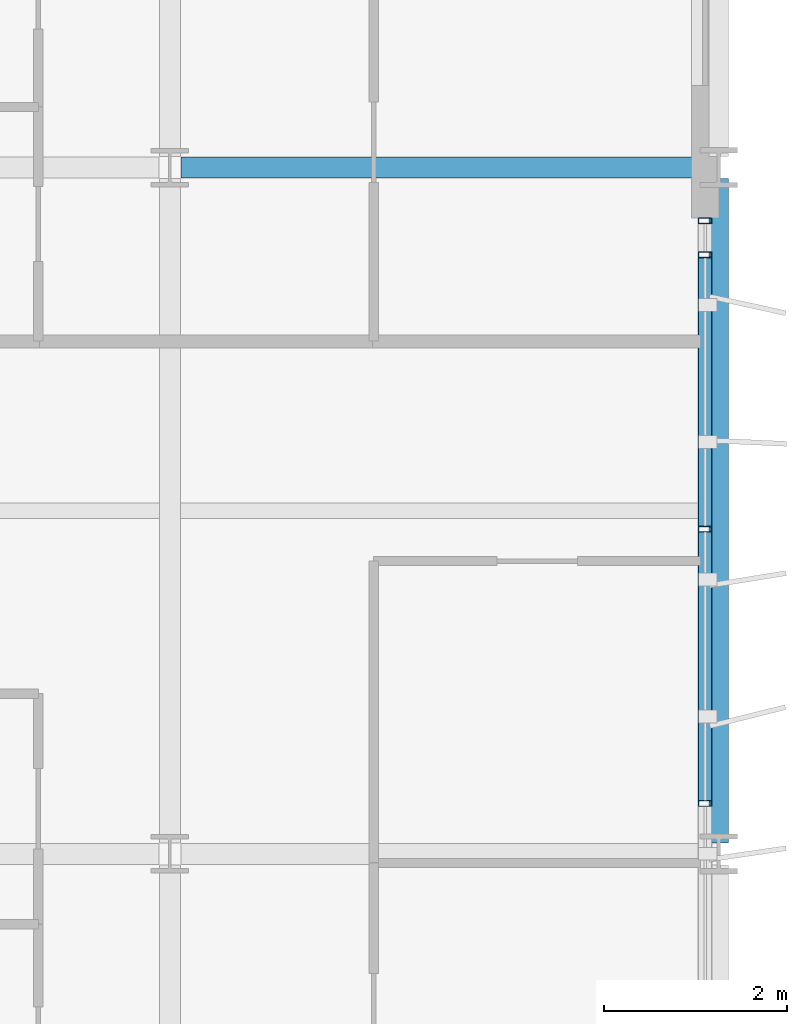
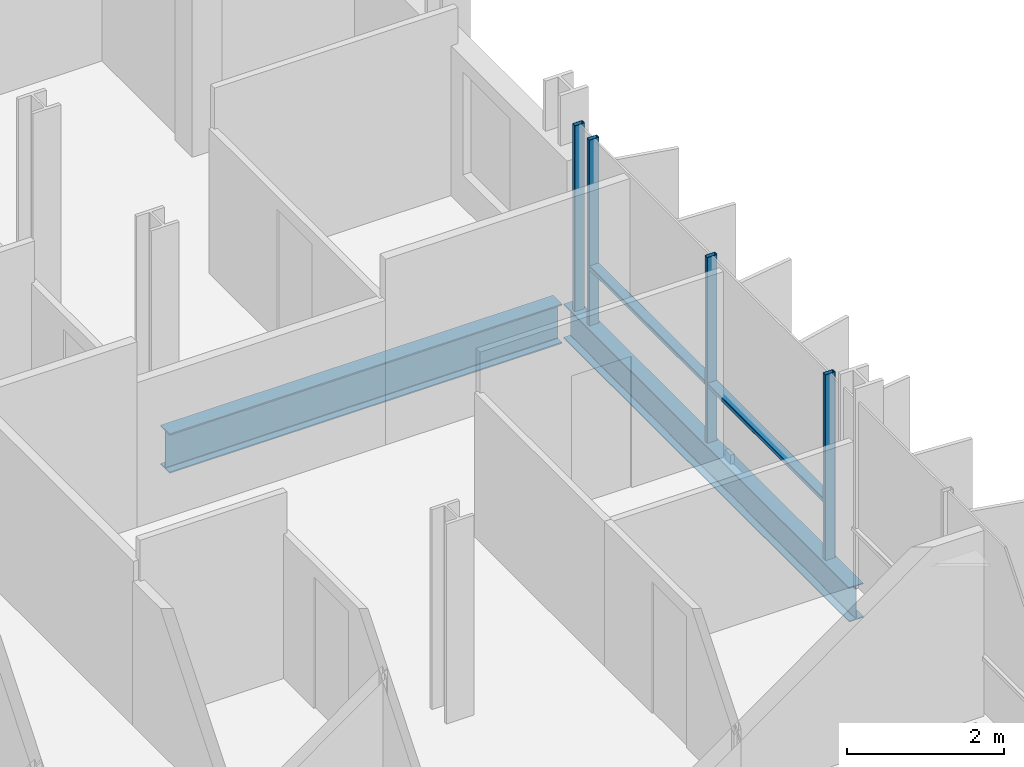
# One storey, part 19 of 38: 6 members, 2 beams, 1 element without a shape of its own.
"""IFC4 building model written with IfcOpenShell, lengths in metres."""

from ifc_helpers import new_model, si_unit, direction, frame, origin, origin_2d, place, context, subcontext, project, spatial, hollow_rectangle, i_section, extrude, material, layer, layer_set, material_profile, profile_set, type_object, element, aggregate, save


model = new_model("IFC4")

# Units and contexts
model_context = context("Model", 3, precision=1e-05, world=origin(), true_north=direction((0.0, 1.0)))
body_context = subcontext(model_context, "Body", "Model", "MODEL_VIEW")
ifc_project = project(units=[si_unit("LENGTHUNIT", "METRE"), si_unit("AREAUNIT", "SQUARE_METRE"), si_unit("VOLUMEUNIT", "CUBIC_METRE"), si_unit("PLANEANGLEUNIT", "RADIAN"), si_unit("MASSUNIT", "GRAM", prefix="KILO")], contexts=[model_context])

# Site, building, storey
site_placement = place(None, origin())
site = spatial("IfcSite", under=ifc_project, at=site_placement, CompositionType="ELEMENT")
building_placement = place(site_placement, origin())
building = spatial("IfcBuilding", under=site, at=building_placement, Name="Brevholm Reach", CompositionType="ELEMENT")
storey_placement = place(building_placement, frame((0.0, 0.0, 128.300048828125)))
storey = spatial("IfcBuildingStorey", under=building, at=storey_placement, Name="L38", CompositionType="ELEMENT", Elevation=128.300048828125)

# Beams
ifc_material_1 = material(Name="Structural Steel S355J2", Category="steel")
ifc_material_profile_1 = material_profile(ifc_material_1, i_section(OverallWidth=0.209228515625, OverallDepth=0.533203125, WebThickness=0.010009765625, FlangeThickness=0.015625, FilletRadius=0.0126953125, at=origin_2d()), Name="UKB 533x210x92")
ifc_profile_set_1 = profile_set([ifc_material_profile_1], Name="Structural Steel S355J2")
beam_type_1 = type_object("IfcBeamType", Name="BM-SP533", PredefinedType="SPANDREL", material=ifc_profile_set_1)
beam_1_placement = place(storey_placement, frame((60.0, 16.1201171875, -0.486572265625), z_axis=(0.0, 1.0, 0.0), x_axis=(-1.0, 0.0, 0.0)))
element("IfcBeam", 1, at=beam_1_placement, inside=storey, type_object=beam_type_1, Name="L38 SP-02 Framing Beam", PredefinedType="SPANDREL", context=body_context, shape_type="SweptSolid", body=[
    extrude(i_section(OverallWidth=0.209228515625, OverallDepth=0.533203125, WebThickness=0.010009765625, FlangeThickness=0.015625, FilletRadius=0.0126953125, at=origin_2d()), origin(), (0.0, 0.0, 1.0), 7.259765625),
])
ifc_material_2 = material(Name="Structural Steel S355J2", Category="steel")
ifc_material_profile_2 = material_profile(ifc_material_2, i_section(OverallWidth=0.22900390625, OverallDepth=0.6123046875, WebThickness=0.011962890625, FlangeThickness=0.01953125, FilletRadius=0.0126953125, at=origin_2d()), Name="UKB 610x229x125")
ifc_profile_set_2 = profile_set([ifc_material_profile_2], Name="Structural Steel S355J2")
beam_type_2 = type_object("IfcBeamType", Name="BM-SP610", PredefinedType="SPANDREL", material=ifc_profile_set_2)
beam_2_placement = place(storey_placement, frame((54.1201171875, 23.5, -0.526123046875), z_axis=(1.0, 0.0, 0.0), x_axis=(0.0, 1.0, 0.0)))
element("IfcBeam", 2, at=beam_2_placement, inside=storey, type_object=beam_type_2, Name="L38 SP-01 Framing Beam", PredefinedType="SPANDREL", context=body_context, shape_type="SweptSolid", body=[
    extrude(i_section(OverallWidth=0.22900390625, OverallDepth=0.6123046875, WebThickness=0.011962890625, FlangeThickness=0.01953125, FilletRadius=0.0126953125, at=origin_2d()), origin(), (0.0, 0.0, 1.0), 5.759765625),
])

# Curtain wall, members
ifc_material_3 = material(Name="Dark Anodised Aluminium 6063-T6 and Solar-Control Glass", Category="aluminium")
ifc_layer = layer(ifc_material_3, 0.14990234375)
ifc_layer_set = layer_set([ifc_layer], Name="Dark Anodised Aluminium 6063-T6 and Solar-Control Glass")
curtain_wall_type = type_object("IfcCurtainWallType", Name="CW-01", PredefinedType="NOTDEFINED", material=ifc_layer_set)
curtain_wall_placement = place(storey_placement, origin())
curtain_wall = element("IfcCurtainWall", 3, at=curtain_wall_placement, inside=storey, type_object=curtain_wall_type, Name="L38 Curtain Wall CW-01", PredefinedType="NOTDEFINED")
ifc_material_4 = material(Name="Dark Anodised Aluminium 6063-T6", Category="aluminium")
ifc_material_profile_3 = material_profile(ifc_material_4, hollow_rectangle(XDim=0.06494140625, YDim=0.14990234375, WallThickness=0.0048828125, InnerFilletRadius=0.0048828125, OuterFilletRadius=0.010009765625, at=origin_2d()), Name="RHS 150x65x5")
ifc_profile_set_3 = profile_set([ifc_material_profile_3], Name="Dark Anodised Aluminium 6063-T6")
member_type_1 = type_object("IfcMemberType", Name="CWM-150", PredefinedType="MULLION", material=ifc_profile_set_3)
member_1_placement = place(storey_placement, frame((59.85009765625, 16.550048828125, 0.0), z_axis=(0.0, 0.0, 1.0), x_axis=(0.0, 1.0, 0.0)))
member_1 = element("IfcMember", 4, at=member_1_placement, type_object=member_type_1, Name="CM-150 Mullion 3", PredefinedType="MULLION", context=body_context, shape_type="SweptSolid", body=[
    extrude(hollow_rectangle(XDim=0.06494140625, YDim=0.14990234375, WallThickness=0.0048828125, InnerFilletRadius=0.0048828125, OuterFilletRadius=0.010009765625, at=origin_2d()), origin(), (0.0, 0.0, 1.0), 2.8798828125),
])
member_2_placement = place(storey_placement, frame((59.85009765625, 19.550048828125, 0.0), z_axis=(0.0, 0.0, 1.0), x_axis=(0.0, 1.0, 0.0)))
member_2 = element("IfcMember", 5, at=member_2_placement, type_object=member_type_1, Name="CM-150 Mullion 4", PredefinedType="MULLION", context=body_context, shape_type="SweptSolid", body=[
    extrude(hollow_rectangle(XDim=0.06494140625, YDim=0.14990234375, WallThickness=0.0048828125, InnerFilletRadius=0.0048828125, OuterFilletRadius=0.010009765625, at=origin_2d()), origin(), (0.0, 0.0, 1.0), 2.8798828125),
])
member_3_placement = place(storey_placement, frame((59.85009765625, 22.550048828125, 0.0), z_axis=(0.0, 0.0, 1.0), x_axis=(0.0, 1.0, 0.0)))
member_3 = element("IfcMember", 6, at=member_3_placement, type_object=member_type_1, Name="CM-150 Mullion 5", PredefinedType="MULLION", context=body_context, shape_type="SweptSolid", body=[
    extrude(hollow_rectangle(XDim=0.06494140625, YDim=0.14990234375, WallThickness=0.0048828125, InnerFilletRadius=0.0048828125, OuterFilletRadius=0.010009765625, at=origin_2d()), origin(), (0.0, 0.0, 1.0), 2.8798828125),
])
member_4_placement = place(storey_placement, frame((59.85009765625, 22.91748046875, 0.0), z_axis=(0.0, 0.0, 1.0), x_axis=(0.0, 1.0, 0.0)))
member_4 = element("IfcMember", 7, at=member_4_placement, type_object=member_type_1, Name="CM-150 Mullion 6", PredefinedType="MULLION", context=body_context, shape_type="SweptSolid", body=[
    extrude(hollow_rectangle(XDim=0.06494140625, YDim=0.14990234375, WallThickness=0.0048828125, InnerFilletRadius=0.0048828125, OuterFilletRadius=0.010009765625, at=origin_2d()), origin(), (0.0, 0.0, 1.0), 2.8798828125),
])
ifc_material_5 = material(Name="Dark Anodised Aluminium 6063-T6", Category="aluminium")
ifc_material_profile_4 = material_profile(ifc_material_5, hollow_rectangle(XDim=0.06494140625, YDim=0.14990234375, WallThickness=0.0048828125, InnerFilletRadius=0.0048828125, OuterFilletRadius=0.010009765625, at=origin_2d()), Name="RHS 150x65x5")
ifc_profile_set_4 = profile_set([ifc_material_profile_4], Name="Dark Anodised Aluminium 6063-T6")
member_type_2 = type_object("IfcMemberType", Name="CWT-150", PredefinedType="NOTDEFINED", material=ifc_profile_set_4)
member_5_placement = place(storey_placement, frame((59.85009765625, 16.58251953125, 0.89990234375), z_axis=(0.0, 1.0, 0.0), x_axis=(0.0, 0.0, 1.0)))
member_5 = element("IfcMember", 8, at=member_5_placement, type_object=member_type_2, Name="CT-150 Transom 3.1", ObjectType="TRANSOM", PredefinedType="USERDEFINED", context=body_context, shape_type="SweptSolid", body=[
    extrude(hollow_rectangle(XDim=0.06494140625, YDim=0.14990234375, WallThickness=0.0048828125, InnerFilletRadius=0.0048828125, OuterFilletRadius=0.010009765625, at=origin_2d()), origin(), (0.0, 0.0, 1.0), 2.93505859375),
])
member_6_placement = place(storey_placement, frame((59.85009765625, 19.58251953125, 0.89990234375), z_axis=(0.0, 1.0, 0.0), x_axis=(0.0, 0.0, 1.0)))
member_6 = element("IfcMember", 9, at=member_6_placement, type_object=member_type_2, Name="CT-150 Transom 4.1", ObjectType="TRANSOM", PredefinedType="USERDEFINED", context=body_context, shape_type="SweptSolid", body=[
    extrude(hollow_rectangle(XDim=0.06494140625, YDim=0.14990234375, WallThickness=0.0048828125, InnerFilletRadius=0.0048828125, OuterFilletRadius=0.010009765625, at=origin_2d()), origin(), (0.0, 0.0, 1.0), 2.93505859375),
])
aggregate(curtain_wall, [member_1, member_2, member_3, member_4, member_5, member_6])

save(model, "model.ifc")
